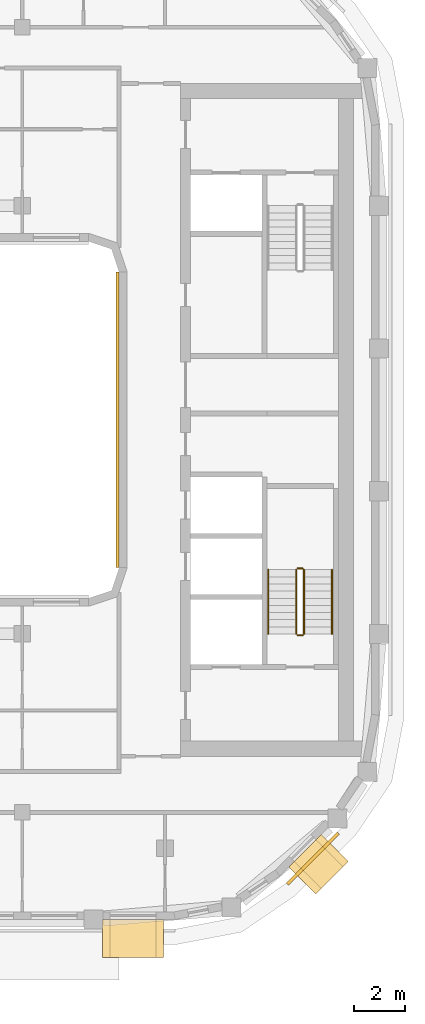
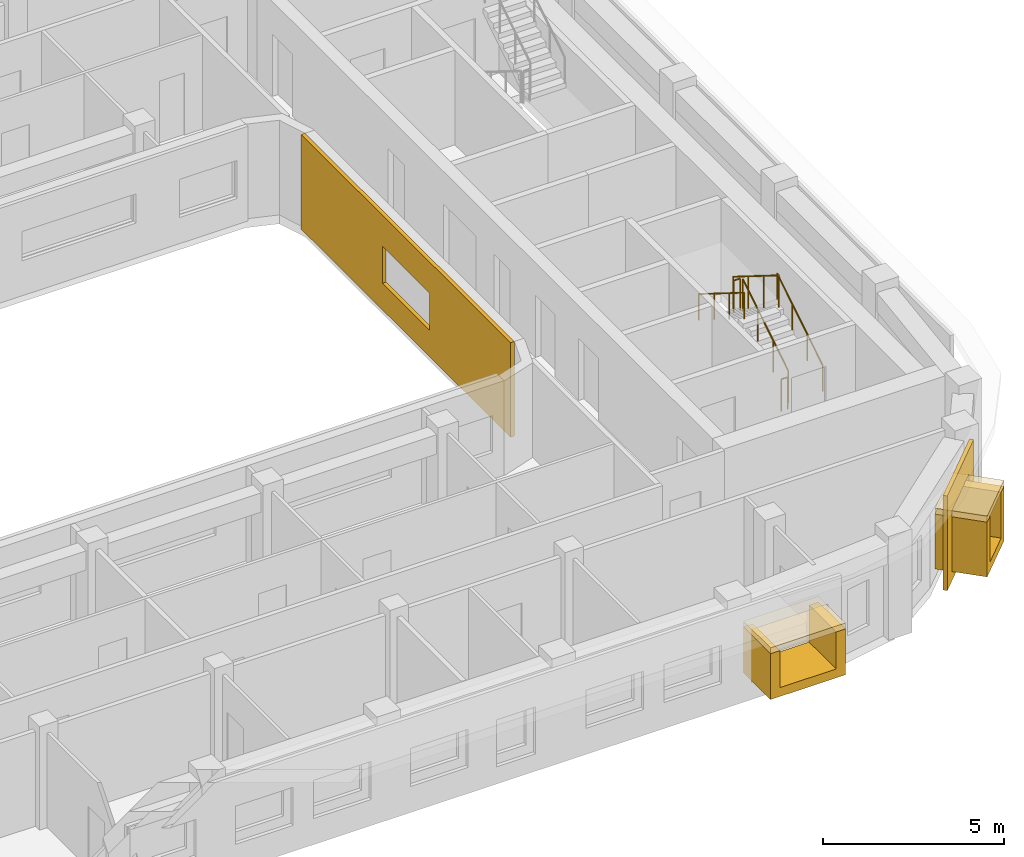
# One storey, part 13 of 16: 6 coverings, 6 railings.
"""IFC4 building model written with IfcOpenShell, lengths in metres."""

from ifc_helpers import new_model, si_unit, direction, frame, origin, origin_2d, place, context, subcontext, project, spatial, polyline, rectangle, circle, outline, extrude, material, layer, layer_set, type_object, element, save


model = new_model("IFC4")

# Units and contexts
model_context = context("Model", 3, precision=1e-05, world=origin(), true_north=direction((0.0, 1.0)))
body_context = subcontext(model_context, "Body", "Model", "MODEL_VIEW")
ifc_project = project(units=[si_unit("LENGTHUNIT", "METRE"), si_unit("AREAUNIT", "SQUARE_METRE"), si_unit("VOLUMEUNIT", "CUBIC_METRE"), si_unit("PLANEANGLEUNIT", "RADIAN"), si_unit("MASSUNIT", "GRAM", prefix="KILO")], contexts=[model_context])

# Site, building, storey
site_placement = place(None, origin())
site = spatial("IfcSite", under=ifc_project, at=site_placement, CompositionType="ELEMENT")
building_placement = place(site_placement, origin())
building = spatial("IfcBuilding", under=site, at=building_placement, Name="Kiln Ring Residences", CompositionType="ELEMENT")
storey_placement = place(building_placement, frame((0.0, 0.0, 273.199951171875)))
storey = spatial("IfcBuildingStorey", under=building, at=storey_placement, Name="L71", CompositionType="ELEMENT", Elevation=273.199951171875)

# Railings
ifc_material_1 = material(Name="Stainless steel", Category="steel")
railing_type_1 = type_object("IfcRailingType", Name="CORE-STAIR-GUARD", PredefinedType="GUARDRAIL", material=ifc_material_1)
railing_1_placement = place(storey_placement, frame((22.25, -8.39990234375, 0.175048828125)))
element("IfcRailing", 1, at=railing_1_placement, inside=storey, type_object=railing_type_1, Name="L71 E-STS stair guard 1", PredefinedType="GUARDRAIL", context=body_context, shape_type="SweptSolid", body=[
    extrude(circle(Radius=0.02392578125, at=origin_2d()), frame((0.0, 0.0, 1.076171875), z_axis=(0.0, 0.848007534815, 0.529984170421), x_axis=(-1.0, 0.0, 0.0)), (0.0, 0.0, 1.0), 2.9716796875),
    extrude(circle(Radius=0.02099609375, at=origin_2d()), origin(), (0.0, 0.0, 1.0), 1.052001953125),
    extrude(circle(Radius=0.02099609375, at=origin_2d()), frame((0.0, 0.840087890625, 0.52490234375)), (0.0, 0.0, 1.0), 1.052001953125),
    extrude(circle(Radius=0.02099609375, at=origin_2d()), frame((0.0, 1.679931640625, 1.050048828125)), (0.0, 0.0, 1.0), 1.052001953125),
    extrude(circle(Radius=0.02099609375, at=origin_2d()), frame((0.0, 2.52001953125, 1.574951171875)), (0.0, 0.0, 1.0), 1.052001953125),
])
railing_2_placement = place(storey_placement, frame((22.199951171875, -5.830078125, 1.75)))
element("IfcRailing", 2, at=railing_2_placement, inside=storey, type_object=railing_type_1, Name="L71 E-STS stair guard 2", PredefinedType="GUARDRAIL", context=body_context, shape_type="SweptSolid", body=[
    extrude(circle(Radius=0.02392578125, at=origin_2d()), frame((0.0, 0.0, 1.076171875), z_axis=(-1.0, 0.0, 0.0), x_axis=(0.0, -1.0, 0.0)), (0.0, 0.0, 1.0), 0.199951171875),
    extrude(circle(Radius=0.02099609375, at=origin_2d()), origin(), (0.0, 0.0, 1.0), 1.052001953125),
    extrude(circle(Radius=0.02099609375, at=origin_2d()), frame((-0.199951171875, 0.0, 0.0)), (0.0, 0.0, 1.0), 1.052001953125),
])
railing_3_placement = place(storey_placement, frame((21.949951171875, -5.8798828125, 1.925048828125)))
element("IfcRailing", 3, at=railing_3_placement, inside=storey, type_object=railing_type_1, Name="L71 E-STS stair guard 3", PredefinedType="GUARDRAIL", context=body_context, shape_type="SweptSolid", body=[
    extrude(circle(Radius=0.02392578125, at=origin_2d()), frame((0.0, 0.0, 1.076171875), z_axis=(0.0, -0.848007534815, 0.529984170421), x_axis=(1.0, 0.0, 0.0)), (0.0, 0.0, 1.0), 2.9716796875),
    extrude(circle(Radius=0.02099609375, at=origin_2d()), origin(), (0.0, 0.0, 1.0), 1.052001953125),
    extrude(circle(Radius=0.02099609375, at=origin_2d()), frame((0.0, -0.840087890625, 0.52490234375)), (0.0, 0.0, 1.0), 1.052001953125),
    extrude(circle(Radius=0.02099609375, at=origin_2d()), frame((0.0, -1.679931640625, 1.050048828125)), (0.0, 0.0, 1.0), 1.052001953125),
    extrude(circle(Radius=0.02099609375, at=origin_2d()), frame((0.0, -2.52001953125, 1.574951171875)), (0.0, 0.0, 1.0), 1.052001953125),
])
railing_4_placement = place(storey_placement, frame((22.199951171875, -8.449951171875, 0.0)))
element("IfcRailing", 4, at=railing_4_placement, inside=storey, type_object=railing_type_1, Name="L71 E-STS stair guard 4", PredefinedType="GUARDRAIL", context=body_context, shape_type="SweptSolid", body=[
    extrude(circle(Radius=0.02392578125, at=origin_2d()), frame((0.0, 0.0, 1.076171875), z_axis=(-1.0, 0.0, 0.0), x_axis=(0.0, -1.0, 0.0)), (0.0, 0.0, 1.0), 0.199951171875),
    extrude(circle(Radius=0.02099609375, at=origin_2d()), origin(), (0.0, 0.0, 1.0), 1.052001953125),
    extrude(circle(Radius=0.02099609375, at=origin_2d()), frame((-0.199951171875, 0.0, 0.0)), (0.0, 0.0, 1.0), 1.052001953125),
])
ifc_material_2 = material(Name="Stainless steel", Category="steel")
railing_type_2 = type_object("IfcRailingType", Name="CORE-STAIR-HANDRAIL", PredefinedType="HANDRAIL", material=ifc_material_2)
railing_5_placement = place(storey_placement, frame((23.35009765625, -8.39990234375, 0.175048828125)))
element("IfcRailing", 5, at=railing_5_placement, inside=storey, type_object=railing_type_2, Name="L71 E-STS stair handrail 1", PredefinedType="HANDRAIL", context=body_context, shape_type="SweptSolid", body=[
    extrude(circle(Radius=0.02392578125, at=origin_2d()), frame((0.0, 0.0, 0.8759765625), z_axis=(0.0, 0.848007534815, 0.529984170421), x_axis=(-1.0, 0.0, 0.0)), (0.0, 0.0, 1.0), 2.9716796875),
    extrude(circle(Radius=0.02099609375, at=origin_2d()), origin(), (0.0, 0.0, 1.0), 0.851806640625),
    extrude(circle(Radius=0.02099609375, at=origin_2d()), frame((0.0, 0.840087890625, 0.52490234375)), (0.0, 0.0, 1.0), 0.851806640625),
    extrude(circle(Radius=0.02099609375, at=origin_2d()), frame((0.0, 1.679931640625, 1.050048828125)), (0.0, 0.0, 1.0), 0.851806640625),
    extrude(circle(Radius=0.02099609375, at=origin_2d()), frame((0.0, 2.52001953125, 1.574951171875)), (0.0, 0.0, 1.0), 0.851806640625),
])
railing_6_placement = place(storey_placement, frame((20.85009765625, -5.8798828125, 1.925048828125)))
element("IfcRailing", 6, at=railing_6_placement, inside=storey, type_object=railing_type_2, Name="L71 E-STS stair handrail 2", PredefinedType="HANDRAIL", context=body_context, shape_type="SweptSolid", body=[
    extrude(circle(Radius=0.02392578125, at=origin_2d()), frame((0.0, 0.0, 0.8759765625), z_axis=(0.0, -0.848007534815, 0.529984170421), x_axis=(1.0, 0.0, 0.0)), (0.0, 0.0, 1.0), 2.9716796875),
    extrude(circle(Radius=0.02099609375, at=origin_2d()), origin(), (0.0, 0.0, 1.0), 0.851806640625),
    extrude(circle(Radius=0.02099609375, at=origin_2d()), frame((0.0, -0.840087890625, 0.52490234375)), (0.0, 0.0, 1.0), 0.851806640625),
    extrude(circle(Radius=0.02099609375, at=origin_2d()), frame((0.0, -1.679931640625, 1.050048828125)), (0.0, 0.0, 1.0), 0.851806640625),
    extrude(circle(Radius=0.02099609375, at=origin_2d()), frame((0.0, -2.52001953125, 1.574951171875)), (0.0, 0.0, 1.0), 0.851806640625),
])

# Coverings
ifc_material_3 = material(Name="Brick masonry, dark clay brick", Category="masonry")
ifc_layer_1 = layer(ifc_material_3, 0.300048828125)
ifc_layer_set_1 = layer_set([ifc_layer_1], Name="FRAME CHEEKS AND SILL 1500")
covering_type_1 = type_object("IfcCoveringType", Name="FRAME CHEEKS AND SILL 1500", PredefinedType="CLADDING", material=ifc_layer_set_1)
covering_1_placement = place(storey_placement, frame((14.35009765625, -20.35009765625, 0.60009765625), z_axis=(0.0, 0.0, 1.0), x_axis=(1.0, 0.0, 0.0)))
element("IfcCovering", 7, at=covering_1_placement, inside=storey, type_object=covering_type_1, Name="FRAME L71", PredefinedType="CLADDING", context=body_context, shape_type="SweptSolid", body=[
    extrude(outline(polyline([(0.0, 0.0), (2.39990234375, 0.0), (2.39990234375, 1.550048828125), (2.10107421875, 1.550048828125), (2.10009765625, 0.300048828125), (0.300048828125, 0.300048828125), (0.299072265625, 1.550048828125), (0.0, 1.550048828125), (0.0, 0.0)])), frame((0.0, 0.75, 0.0), z_axis=(0.0, -1.0, 0.0), x_axis=(1.0, 0.0, 0.0)), (0.0, 0.0, 1.0), 1.5),
])
covering_2_placement = place(storey_placement, frame((22.189697265625, -18.07080078125, 0.300048828125), z_axis=(0.0, 0.0, 1.0), x_axis=(0.707174592913, 0.707038962956, 0.0)))
element("IfcCovering", 8, at=covering_2_placement, inside=storey, type_object=covering_type_1, Name="FRAME L71", PredefinedType="CLADDING", context=body_context, shape_type="SweptSolid", body=[
    extrude(outline(polyline([(0.0, 0.0), (1.800048828125, 0.0), (1.800048828125, 1.85009765625), (1.5009765625, 1.85009765625), (1.5, 0.300048828125), (0.300048828125, 0.300048828125), (0.299072265625, 1.85009765625), (0.0, 1.85009765625), (0.0, 0.0)])), frame((0.0, 0.75, 0.0), z_axis=(0.0, -1.0, 0.0), x_axis=(1.0, 0.0, 0.0)), (0.0, 0.0, 1.0), 1.5),
])
ifc_material_4 = material(Name="Brick masonry, dark clay brick", Category="masonry")
ifc_layer_2 = layer(ifc_material_4, 0.199951171875)
ifc_layer_set_2 = layer_set([ifc_layer_2], Name="FRAME HEAD 1500")
covering_type_2 = type_object("IfcCoveringType", Name="FRAME HEAD 1500", PredefinedType="CLADDING", material=ifc_layer_set_2)
covering_3_placement = place(storey_placement, frame((15.550048828125, -20.35009765625, 2.14990234375), z_axis=(0.0, 0.0, 1.0), x_axis=(1.0, 0.0, 0.0)))
element("IfcCovering", 9, at=covering_3_placement, inside=storey, type_object=covering_type_2, Name="FRAME HEAD L71", PredefinedType="CLADDING", context=body_context, shape_type="SweptSolid", body=[
    extrude(rectangle(XDim=2.39990234375, YDim=1.5, at=origin_2d()), origin(), (0.0, 0.0, 1.0), 0.199951171875),
])
covering_4_placement = place(storey_placement, frame((22.826171875, -17.4345703125, 2.14990234375), z_axis=(0.0, 0.0, 1.0), x_axis=(0.707106781187, 0.707106781187, 0.0)))
element("IfcCovering", 10, at=covering_4_placement, inside=storey, type_object=covering_type_2, Name="FRAME HEAD L71", PredefinedType="CLADDING", context=body_context, shape_type="SweptSolid", body=[
    extrude(rectangle(XDim=1.800048828125, YDim=1.5, at=origin_2d()), origin(), (0.0, 0.0, 1.0), 0.199951171875),
])
ifc_material_5 = material(Name="Brick masonry, dark clay brick", Category="masonry")
ifc_layer_3 = layer(ifc_material_5, 0.1201171875)
ifc_layer_set_3 = layer_set([ifc_layer_3], Name="RAINSCREEN PANEL 120")
covering_type_3 = type_object("IfcCoveringType", Name="RAINSCREEN PANEL 120", PredefinedType="CLADDING", material=ifc_layer_set_3)
covering_5_placement = place(storey_placement, frame((21.604736328125, -18.21044921875, 0.0), z_axis=(0.0, 0.0, 1.0), x_axis=(0.707106781187, 0.707106781187, 0.0)))
element("IfcCovering", 11, at=covering_5_placement, inside=storey, type_object=covering_type_3, Name="RAINSCREEN L71", PredefinedType="CLADDING", context=body_context, shape_type="SweptSolid", body=[
    extrude(outline(polyline([(0.0, 0.0), (2.824951171875, 0.0), (2.824951171875, 3.199951171875), (0.0, 3.199951171875), (0.0, 0.0)]), holes=[polyline([(0.492431640625, 2.3701171875), (0.492431640625, 0.280029296875), (2.33251953125, 0.280029296875), (2.33251953125, 2.3701171875), (0.492431640625, 2.3701171875)])]), frame((0.0, 0.06005859375, 0.0), z_axis=(0.0, -1.0, 0.0), x_axis=(1.0, 0.0, 0.0)), (0.0, 0.0, 1.0), 0.1201171875),
])
covering_6_placement = place(storey_placement, frame((14.93994140625, 5.800048828125, 0.0), z_axis=(0.0, 0.0, 1.0), x_axis=(0.0, -1.0, 0.0)))
element("IfcCovering", 12, at=covering_6_placement, inside=storey, type_object=covering_type_3, Name="RAINSCREEN L71", PredefinedType="CLADDING", context=body_context, shape_type="SweptSolid", body=[
    extrude(outline(polyline([(0.0, 0.0), (11.60009765625, 0.0), (11.60009765625, 3.199951171875), (0.0, 3.199951171875), (0.0, 0.0)]), holes=[polyline([(4.5, 2.150146484375), (4.5, 0.900146484375), (7.10009765625, 0.900146484375), (7.10009765625, 2.150146484375), (4.5, 2.150146484375)])]), frame((0.0, 0.06005859375, 0.0), z_axis=(0.0, -1.0, 0.0), x_axis=(1.0, 0.0, 0.0)), (0.0, 0.0, 1.0), 0.1201171875),
])

save(model, "model.ifc")
